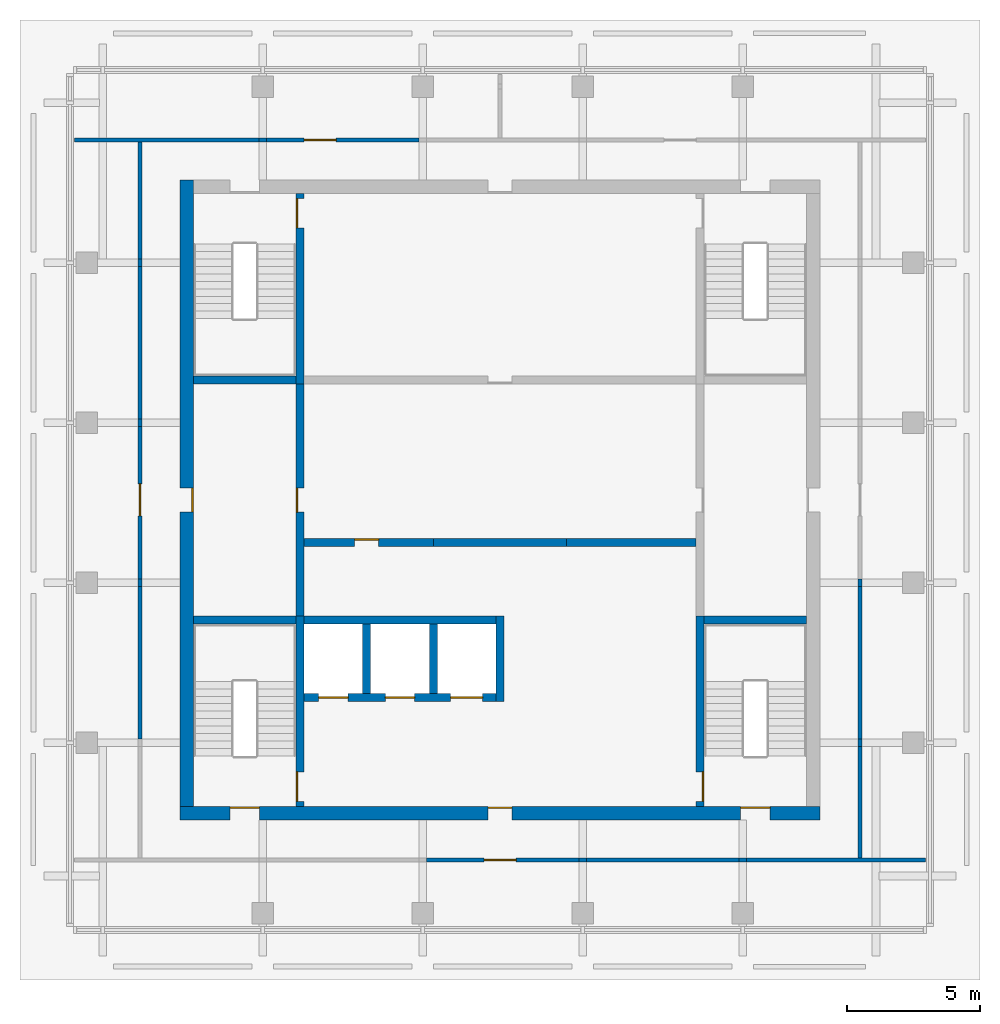
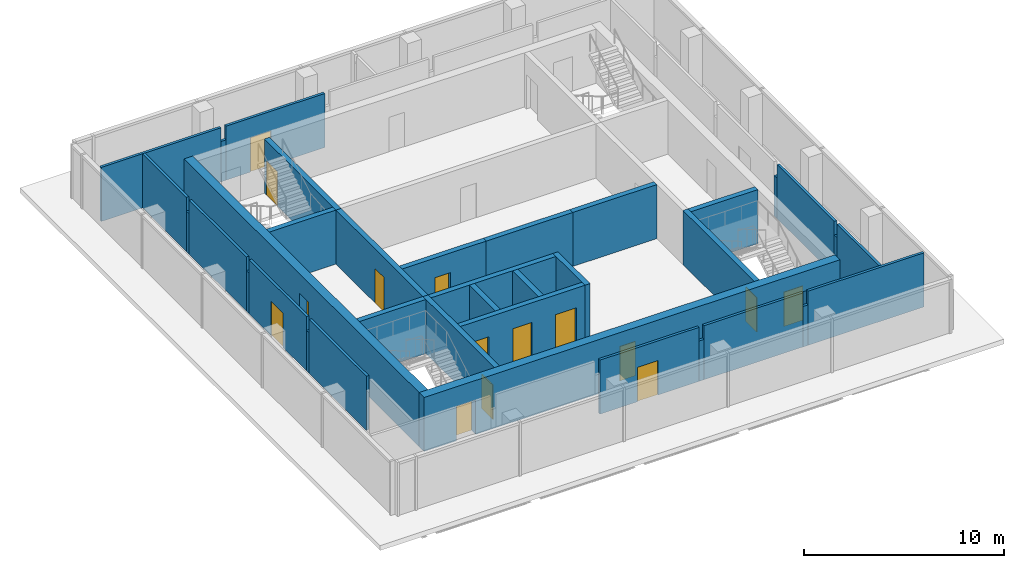
# One storey, part 3 of 5: 36 walls, 15 doors, 15 openings.
"""IFC4 building model written with IfcOpenShell, lengths in metres."""

from ifc_helpers import new_model, si_unit, direction, frame, frame_2d, origin, place, context, subcontext, project, spatial, rectangle, extrude, material, layer, layer_set, type_object, element, fill, save


model = new_model("IFC4")

# Units and contexts
model_context = context("Model", 3, precision=1e-05, world=origin(), true_north=direction((0.0, 1.0)))
body_context = subcontext(model_context, "Body", "Model", "MODEL_VIEW")
ifc_project = project(units=[si_unit("LENGTHUNIT", "METRE"), si_unit("AREAUNIT", "SQUARE_METRE"), si_unit("VOLUMEUNIT", "CUBIC_METRE"), si_unit("PLANEANGLEUNIT", "RADIAN"), si_unit("MASSUNIT", "GRAM", prefix="KILO")], contexts=[model_context])

# Site, building, storey
site_placement = place(None, origin())
site = spatial("IfcSite", under=ifc_project, at=site_placement, CompositionType="ELEMENT")
building_placement = place(site_placement, origin())
building = spatial("IfcBuilding", under=site, at=building_placement, Name="Amberfall Residences", CompositionType="ELEMENT")
storey_placement = place(building_placement, frame((0.0, 0.0, 294.39990234375)))
storey = spatial("IfcBuildingStorey", under=building, at=storey_placement, Name="L79 Crown", CompositionType="ELEMENT", Elevation=294.39990234375)

# Wall, opening, door
ifc_material_1 = material(Name="Concrete blockwork", Category="masonry")
ifc_layer_1 = layer(ifc_material_1, 0.300048828125)
ifc_layer_set_1 = layer_set([ifc_layer_1], Name="Blockwork partition 300")
wall_type_1 = type_object("IfcWallType", Name="Blockwork partition 300", PredefinedType="PARTITIONING", material=ifc_layer_set_1)
wall_1_placement = place(storey_placement, frame((67.0, 41.14990234375, 0.0), z_axis=(0.0, 0.0, 1.0), x_axis=(0.0, 1.0, 0.0)))
wall_1 = element("IfcWall", 1, at=wall_1_placement, inside=storey, type_object=wall_type_1, Name="L79 Crown core wall W1M", PredefinedType="PARTITIONING", context=body_context, shape_type="SweptSolid", body=[
    extrude(rectangle(XDim=8.7001953125, YDim=0.300048828125, at=frame_2d((4.35009765625, 0.0))), origin(), (0.0, 0.0, 1.0), 3.300048828125),
])
opening_1_placement = place(wall_1_placement, frame((3.89990234375, 0.0, 0.0)))
opening_1 = element("IfcOpeningElement", 2, at=opening_1_placement, cuts=wall_1, Name="Opening RD1", PredefinedType="OPENING", context=body_context, shape_type="SweptSolid", body=[
    extrude(rectangle(XDim=0.89990234375, YDim=2.10009765625, at=frame_2d((0.449951171875, 1.050048828125))), frame((0.0, 0.159912109375, 0.0), z_axis=(0.0, -1.0, 0.0), x_axis=(1.0, 0.0, 0.0)), (0.0, 0.0, 1.0), 0.320068359375),
])
ifc_material_2 = material(Name="Steel fire door set", Category="steel")
door_type_1 = type_object("IfcDoorType", Name="Service room door 900 x 2100", OperationType="SINGLE_SWING_LEFT", PredefinedType="DOOR", material=ifc_material_2)
door_1_placement = place(opening_1_placement, origin())
door_1 = element("IfcDoor", 3, at=door_1_placement, inside=storey, type_object=door_type_1, Name="RD1 L79 Crown", OperationType="SINGLE_SWING_LEFT", OverallHeight=2.10009765625, OverallWidth=0.89990234375, PredefinedType="DOOR", context=body_context, shape_type="SweptSolid", body=[
    extrude(rectangle(XDim=0.89990234375, YDim=2.10009765625, at=frame_2d((0.449951171875, 1.050048828125))), frame((0.0, 0.1376953125, 0.0), z_axis=(0.0, -1.0, 0.0), x_axis=(1.0, 0.0, 0.0)), (0.0, 0.0, 1.0), 0.050048828125),
])
fill(opening_1, door_1)

wall_2_placement = place(storey_placement, frame((67.14990234375, 43.89990234375, 0.0), z_axis=(0.0, 0.0, 1.0), x_axis=(1.0, 0.0, 0.0)))
wall_2 = element("IfcWall", 4, at=wall_2_placement, inside=storey, type_object=wall_type_1, Name="L79 Crown core wall W6", PredefinedType="PARTITIONING", context=body_context, shape_type="SweptSolid", body=[
    extrude(rectangle(XDim=4.85009765625, YDim=0.300048828125, at=frame_2d((2.425048828125, 0.0))), origin(), (0.0, 0.0, 1.0), 3.300048828125),
])
opening_2_placement = place(wall_2_placement, frame((1.89990234375, 0.0, 0.0)))
opening_2 = element("IfcOpeningElement", 5, at=opening_2_placement, cuts=wall_2, Name="Opening RD1", PredefinedType="OPENING", context=body_context, shape_type="SweptSolid", body=[
    extrude(rectangle(XDim=0.89990234375, YDim=2.10009765625, at=frame_2d((0.449951171875, 1.050048828125))), frame((0.0, 0.159912109375, 0.0), z_axis=(0.0, -1.0, 0.0), x_axis=(1.0, 0.0, 0.0)), (0.0, 0.0, 1.0), 0.320068359375),
])
door_2_placement = place(opening_2_placement, origin())
door_2 = element("IfcDoor", 6, at=door_2_placement, inside=storey, type_object=door_type_1, Name="RD1 L79 Crown", OperationType="SINGLE_SWING_LEFT", OverallHeight=2.10009765625, OverallWidth=0.89990234375, PredefinedType="DOOR", context=body_context, shape_type="SweptSolid", body=[
    extrude(rectangle(XDim=0.89990234375, YDim=2.10009765625, at=frame_2d((0.449951171875, 1.050048828125))), frame((0.0, 0.1376953125, 0.0), z_axis=(0.0, -1.0, 0.0), x_axis=(1.0, 0.0, 0.0)), (0.0, 0.0, 1.0), 0.050048828125),
])
fill(opening_2, door_2)

# Wall
wall_3_placement = place(storey_placement, frame((77.0, 43.89990234375, 0.0), z_axis=(0.0, 0.0, 1.0), x_axis=(1.0, 0.0, 0.0)))
element("IfcWall", 7, at=wall_3_placement, inside=storey, type_object=wall_type_1, Name="L79 Crown core wall W6e", PredefinedType="PARTITIONING", context=body_context, shape_type="SweptSolid", body=[
    extrude(rectangle(XDim=4.85009765625, YDim=0.300048828125, at=frame_2d((2.425048828125, 0.0))), origin(), (0.0, 0.0, 1.0), 3.300048828125),
])

# Wall, openings, doors
wall_4_placement = place(storey_placement, frame((67.14990234375, 38.10009765625, 0.0), z_axis=(0.0, 0.0, 1.0), x_axis=(1.0, 0.0, 0.0)))
wall_4 = element("IfcWall", 8, at=wall_4_placement, inside=storey, type_object=wall_type_1, Name="L79 Crown core wall FFF", PredefinedType="PARTITIONING", context=body_context, shape_type="SweptSolid", body=[
    extrude(rectangle(XDim=7.2001953125, YDim=0.300048828125, at=frame_2d((3.60009765625, 0.0))), origin(), (0.0, 0.0, 1.0), 3.300048828125),
])
opening_3_placement = place(wall_4_placement, frame((0.550048828125, 0.0, 0.0)))
opening_3 = element("IfcOpeningElement", 9, at=opening_3_placement, cuts=wall_4, Name="Opening LD2", PredefinedType="OPENING", context=body_context, shape_type="SweptSolid", body=[
    extrude(rectangle(XDim=1.10009765625, YDim=2.10009765625, at=frame_2d((0.550048828125, 1.050048828125))), frame((0.0, 0.159912109375, 0.0), z_axis=(0.0, -1.0, 0.0), x_axis=(1.0, 0.0, 0.0)), (0.0, 0.0, 1.0), 0.320068359375),
])
opening_4_placement = place(wall_4_placement, frame((3.050048828125, 0.0, 0.0)))
opening_4 = element("IfcOpeningElement", 10, at=opening_4_placement, cuts=wall_4, Name="Opening LD2", PredefinedType="OPENING", context=body_context, shape_type="SweptSolid", body=[
    extrude(rectangle(XDim=1.10009765625, YDim=2.10009765625, at=frame_2d((0.550048828125, 1.050048828125))), frame((0.0, 0.159912109375, 0.0), z_axis=(0.0, -1.0, 0.0), x_axis=(1.0, 0.0, 0.0)), (0.0, 0.0, 1.0), 0.320068359375),
])
opening_5_placement = place(wall_4_placement, frame((5.5, 0.0, 0.0)))
opening_5 = element("IfcOpeningElement", 11, at=opening_5_placement, cuts=wall_4, Name="Opening LD3", PredefinedType="OPENING", context=body_context, shape_type="SweptSolid", body=[
    extrude(rectangle(XDim=1.199951171875, YDim=2.10009765625, at=frame_2d((0.60009765625, 1.050048828125))), frame((0.0, 0.159912109375, 0.0), z_axis=(0.0, -1.0, 0.0), x_axis=(1.0, 0.0, 0.0)), (0.0, 0.0, 1.0), 0.320068359375),
])
door_type_2 = type_object("IfcDoorType", Name="Firefighting lift landing door 1100 x 2100", OperationType="DOUBLE_DOOR_SLIDING", PredefinedType="DOOR", material=ifc_material_2)
door_3_placement = place(opening_3_placement, origin())
door_3 = element("IfcDoor", 12, at=door_3_placement, inside=storey, type_object=door_type_2, Name="Landing door FF1 L79 Crown", OperationType="DOUBLE_DOOR_SLIDING", OverallHeight=2.10009765625, OverallWidth=1.10009765625, PredefinedType="DOOR", context=body_context, shape_type="SweptSolid", body=[
    extrude(rectangle(XDim=1.10009765625, YDim=2.10009765625, at=frame_2d((0.550048828125, 1.050048828125))), frame((0.0, 0.02490234375, 0.0), z_axis=(0.0, -1.0, 0.0), x_axis=(1.0, 0.0, 0.0)), (0.0, 0.0, 1.0), 0.050048828125),
])
fill(opening_3, door_3)
door_4_placement = place(opening_4_placement, origin())
door_4 = element("IfcDoor", 13, at=door_4_placement, inside=storey, type_object=door_type_2, Name="Landing door FF2 L79 Crown", OperationType="DOUBLE_DOOR_SLIDING", OverallHeight=2.10009765625, OverallWidth=1.10009765625, PredefinedType="DOOR", context=body_context, shape_type="SweptSolid", body=[
    extrude(rectangle(XDim=1.10009765625, YDim=2.10009765625, at=frame_2d((0.550048828125, 1.050048828125))), frame((0.0, 0.02490234375, 0.0), z_axis=(0.0, -1.0, 0.0), x_axis=(1.0, 0.0, 0.0)), (0.0, 0.0, 1.0), 0.050048828125),
])
fill(opening_4, door_4)
door_type_3 = type_object("IfcDoorType", Name="Service lift landing door 1200 x 2100", OperationType="DOUBLE_DOOR_SLIDING", PredefinedType="DOOR", material=ifc_material_2)
door_5_placement = place(opening_5_placement, origin())
door_5 = element("IfcDoor", 14, at=door_5_placement, inside=storey, type_object=door_type_3, Name="Landing door SL1 L79 Crown", OperationType="DOUBLE_DOOR_SLIDING", OverallHeight=2.10009765625, OverallWidth=1.199951171875, PredefinedType="DOOR", context=body_context, shape_type="SweptSolid", body=[
    extrude(rectangle(XDim=1.199951171875, YDim=2.10009765625, at=frame_2d((0.60009765625, 1.050048828125))), frame((0.0, 0.02490234375, 0.0), z_axis=(0.0, -1.0, 0.0), x_axis=(1.0, 0.0, 0.0)), (0.0, 0.0, 1.0), 0.050048828125),
])
fill(opening_5, door_5)

# Walls
wall_5_placement = place(storey_placement, frame((67.14990234375, 41.0, 0.0), z_axis=(0.0, 0.0, 1.0), x_axis=(1.0, 0.0, 0.0)))
element("IfcWall", 15, at=wall_5_placement, inside=storey, type_object=wall_type_1, Name="L79 Crown core wall FFS", PredefinedType="PARTITIONING", context=body_context, shape_type="SweptSolid", body=[
    extrude(rectangle(XDim=7.2001953125, YDim=0.300048828125, at=frame_2d((3.60009765625, 0.0))), origin(), (0.0, 0.0, 1.0), 3.300048828125),
])
for number, where, z_axis, x_axis, name in (
    (16, (69.5, 38.25, 0.0), (0.0, 0.0, 1.0), (0.0, 1.0, 0.0), "L79 Crown core wall FFD1"),
    (17, (72.0, 38.25, 0.0), (0.0, 0.0, 1.0), (0.0, 1.0, 0.0), "L79 Crown core wall FFD2"),
):
    element("IfcWall", number, at=place(storey_placement, frame(where, z_axis=z_axis, x_axis=x_axis)), inside=storey, type_object=wall_type_1, Name=name, PredefinedType="PARTITIONING", context=body_context, shape_type="SweptSolid", body=[
        extrude(rectangle(XDim=2.60009765625, YDim=0.300048828125, at=frame_2d((1.300048828125, 0.0))), origin(), (0.0, 0.0, 1.0), 3.300048828125),
    ])
wall_6_placement = place(storey_placement, frame((74.5, 37.949951171875, 0.0), z_axis=(0.0, 0.0, 1.0), x_axis=(0.0, 1.0, 0.0)))
element("IfcWall", 18, at=wall_6_placement, inside=storey, type_object=wall_type_1, Name="L79 Crown core wall FFD3", PredefinedType="PARTITIONING", context=body_context, shape_type="SweptSolid", body=[
    extrude(rectangle(XDim=3.199951171875, YDim=0.300048828125, at=frame_2d((1.60009765625, 0.0))), origin(), (0.0, 0.0, 1.0), 3.300048828125),
])
ifc_material_3 = material(Name="Concrete C50", Category="concrete")
ifc_layer_2 = layer(ifc_material_3, 0.300048828125)
ifc_layer_set_2 = layer_set([ifc_layer_2], Name="Core wall 300 C50")
wall_type_2 = type_object("IfcWallType", Name="Core wall 300 C50", PredefinedType="SHEAR", material=ifc_layer_set_2)
wall_7_placement = place(storey_placement, frame((72.0, 43.89990234375, 0.0), z_axis=(0.0, 0.0, 1.0), x_axis=(1.0, 0.0, 0.0)))
element("IfcWall", 19, at=wall_7_placement, inside=storey, type_object=wall_type_2, Name="Spire pier wall RW10 L79 Crown", PredefinedType="SHEAR", context=body_context, shape_type="SweptSolid", body=[
    extrude(rectangle(XDim=5.0, YDim=0.300048828125, at=frame_2d((2.5, 0.0))), origin(), (0.0, 0.0, 1.0), 3.300048828125),
])

# Wall, openings, doors
ifc_layer_3 = layer(ifc_material_3, 0.5)
ifc_layer_set_3 = layer_set([ifc_layer_3], Name="Core wall 500 C50")
wall_type_3 = type_object("IfcWallType", Name="Core wall 500 C50", PredefinedType="SHEAR", material=ifc_layer_set_3)
wall_8_placement = place(storey_placement, frame((62.5, 33.75, 0.0), z_axis=(0.0, 0.0, 1.0), x_axis=(1.0, 0.0, 0.0)))
wall_8 = element("IfcWall", 20, at=wall_8_placement, inside=storey, type_object=wall_type_3, Name="Core wall RW9 L79 Crown OS", PredefinedType="SHEAR", context=body_context, shape_type="SweptSolid", body=[
    extrude(rectangle(XDim=24.0, YDim=0.5, at=frame_2d((12.0, 0.0))), origin(), (0.0, 0.0, 1.0), 3.300048828125),
])
opening_6_placement = place(wall_8_placement, frame((1.875, 0.0, 0.0)))
opening_6 = element("IfcOpeningElement", 21, at=opening_6_placement, cuts=wall_8, Name="Opening SD1", PredefinedType="OPENING", context=body_context, shape_type="SweptSolid", body=[
    extrude(rectangle(XDim=1.10009765625, YDim=2.10009765625, at=frame_2d((0.550048828125, 1.050048828125))), frame((0.0, 0.260009765625, 0.0), z_axis=(0.0, -1.0, 0.0), x_axis=(1.0, 0.0, 0.0)), (0.0, 0.0, 1.0), 0.52001953125),
])
opening_7_placement = place(wall_8_placement, frame((21.02490234375, 0.0, 0.0)))
opening_7 = element("IfcOpeningElement", 22, at=opening_7_placement, cuts=wall_8, Name="Opening SD1", PredefinedType="OPENING", context=body_context, shape_type="SweptSolid", body=[
    extrude(rectangle(XDim=1.10009765625, YDim=2.10009765625, at=frame_2d((0.550048828125, 1.050048828125))), frame((0.0, 0.260009765625, 0.0), z_axis=(0.0, -1.0, 0.0), x_axis=(1.0, 0.0, 0.0)), (0.0, 0.0, 1.0), 0.52001953125),
])
opening_8_placement = place(wall_8_placement, frame((11.550048828125, 0.0, 0.0)))
opening_8 = element("IfcOpeningElement", 23, at=opening_8_placement, cuts=wall_8, Name="Opening RD1", PredefinedType="OPENING", context=body_context, shape_type="SweptSolid", body=[
    extrude(rectangle(XDim=0.89990234375, YDim=2.10009765625, at=frame_2d((0.449951171875, 1.050048828125))), frame((0.0, 0.260009765625, 0.0), z_axis=(0.0, -1.0, 0.0), x_axis=(1.0, 0.0, 0.0)), (0.0, 0.0, 1.0), 0.52001953125),
])
door_6_placement = place(opening_8_placement, origin())
door_6 = element("IfcDoor", 24, at=door_6_placement, inside=storey, type_object=door_type_1, Name="RD1 L79 Crown", OperationType="SINGLE_SWING_LEFT", OverallHeight=2.10009765625, OverallWidth=0.89990234375, PredefinedType="DOOR", context=body_context, shape_type="SweptSolid", body=[
    extrude(rectangle(XDim=0.89990234375, YDim=2.10009765625, at=frame_2d((0.449951171875, 1.050048828125))), frame((0.0, 0.2373046875, 0.0), z_axis=(0.0, -1.0, 0.0), x_axis=(1.0, 0.0, 0.0)), (0.0, 0.0, 1.0), 0.050048828125),
])
fill(opening_8, door_6)
door_type_4 = type_object("IfcDoorType", Name="Stair door 1100 x 2100", OperationType="SINGLE_SWING_LEFT", PredefinedType="DOOR", material=ifc_material_2)
door_7_placement = place(opening_6_placement, origin())
door_7 = element("IfcDoor", 25, at=door_7_placement, inside=storey, type_object=door_type_4, Name="SD1 L79 Crown", OperationType="SINGLE_SWING_LEFT", OverallHeight=2.10009765625, OverallWidth=1.10009765625, PredefinedType="DOOR", context=body_context, shape_type="SweptSolid", body=[
    extrude(rectangle(XDim=1.10009765625, YDim=2.10009765625, at=frame_2d((0.550048828125, 1.050048828125))), frame((0.0, 0.2373046875, 0.0), z_axis=(0.0, -1.0, 0.0), x_axis=(1.0, 0.0, 0.0)), (0.0, 0.0, 1.0), 0.050048828125),
])
fill(opening_6, door_7)
door_8_placement = place(opening_7_placement, origin())
door_8 = element("IfcDoor", 26, at=door_8_placement, inside=storey, type_object=door_type_4, Name="SD1 L79 Crown", OperationType="SINGLE_SWING_RIGHT", OverallHeight=2.10009765625, OverallWidth=1.10009765625, PredefinedType="DOOR", context=body_context, shape_type="SweptSolid", body=[
    extrude(rectangle(XDim=1.10009765625, YDim=2.10009765625, at=frame_2d((0.550048828125, 1.050048828125))), frame((0.0, 0.2373046875, 0.0), z_axis=(0.0, -1.0, 0.0), x_axis=(1.0, 0.0, 0.0)), (0.0, 0.0, 1.0), 0.050048828125),
])
fill(opening_7, door_8)

# Wall, opening, door
wall_9_placement = place(storey_placement, frame((62.75, 33.5, 0.0), z_axis=(0.0, 0.0, 1.0), x_axis=(0.0, 1.0, 0.0)))
wall_9 = element("IfcWall", 27, at=wall_9_placement, inside=storey, type_object=wall_type_3, Name="Core wall RW9 L79 Crown OW", PredefinedType="SHEAR", context=body_context, shape_type="SweptSolid", body=[
    extrude(rectangle(XDim=24.0, YDim=0.5, at=frame_2d((12.0, 0.0))), origin(), (0.0, 0.0, 1.0), 3.300048828125),
])
opening_9_placement = place(wall_9_placement, frame((11.550048828125, 0.0, 0.0)))
opening_9 = element("IfcOpeningElement", 28, at=opening_9_placement, cuts=wall_9, Name="Opening RD1", PredefinedType="OPENING", context=body_context, shape_type="SweptSolid", body=[
    extrude(rectangle(XDim=0.89990234375, YDim=2.10009765625, at=frame_2d((0.449951171875, 1.050048828125))), frame((0.0, 0.260009765625, 0.0), z_axis=(0.0, -1.0, 0.0), x_axis=(1.0, 0.0, 0.0)), (0.0, 0.0, 1.0), 0.52001953125),
])
door_9_placement = place(opening_9_placement, origin())
door_9 = element("IfcDoor", 29, at=door_9_placement, inside=storey, type_object=door_type_1, Name="RD1 L79 Crown", OperationType="SINGLE_SWING_LEFT", OverallHeight=2.10009765625, OverallWidth=0.89990234375, PredefinedType="DOOR", context=body_context, shape_type="SweptSolid", body=[
    extrude(rectangle(XDim=0.89990234375, YDim=2.10009765625, at=frame_2d((0.449951171875, 1.050048828125))), frame((0.0, -0.1875, 0.0), z_axis=(0.0, -1.0, 0.0), x_axis=(1.0, 0.0, 0.0)), (0.0, 0.0, 1.0), 0.050048828125),
])
fill(opening_9, door_9)

ifc_material_4 = material(Name="Fire-rated gypsum board on steel studs", Category="steel")
ifc_layer_4 = layer(ifc_material_4, 0.14990234375)
ifc_layer_set_4 = layer_set([ifc_layer_4], Name="Partition 150 fire-rated")
wall_type_4 = type_object("IfcWallType", Name="Partition 150 fire-rated", PredefinedType="PARTITIONING", material=ifc_layer_set_4)
wall_10_placement = place(storey_placement, frame((71.745849609375, 32.0, 0.0), z_axis=(0.0, 0.0, 1.0), x_axis=(1.0, 0.0, 0.0)))
wall_10 = element("IfcWall", 30, at=wall_10_placement, inside=storey, type_object=wall_type_4, Name="Partition 150 fire-rated L79 Crown 005", PredefinedType="PARTITIONING", context=body_context, shape_type="SweptSolid", body=[
    extrude(rectangle(XDim=5.708251953125, YDim=0.14990234375, at=frame_2d((2.85400390625, 0.0))), origin(), (0.0, 0.0, 1.0), 3.300048828125),
])
opening_10_placement = place(wall_10_placement, frame((2.154296875, 0.0, 0.0)))
opening_10 = element("IfcOpeningElement", 31, at=opening_10_placement, cuts=wall_10, Name="Opening D7", PredefinedType="OPENING", context=body_context, shape_type="SweptSolid", body=[
    extrude(rectangle(XDim=1.199951171875, YDim=2.10009765625, at=frame_2d((0.60009765625, 1.050048828125))), frame((0.0, 0.0849609375, 0.0), z_axis=(0.0, -1.0, 0.0), x_axis=(1.0, 0.0, 0.0)), (0.0, 0.0, 1.0), 0.169921875),
])
ifc_material_5 = material(Name="Steel fire door leaf", Category="steel")
door_type_5 = type_object("IfcDoorType", Name="Plant room door 1200x2100", OperationType="SINGLE_SWING_LEFT", PredefinedType="DOOR", material=ifc_material_5)
door_10_placement = place(opening_10_placement, origin())
door_10 = element("IfcDoor", 32, at=door_10_placement, inside=storey, type_object=door_type_5, Name="Door Traction machine plant room", OperationType="SINGLE_SWING_LEFT", OverallHeight=2.10009765625, OverallWidth=1.199951171875, PredefinedType="DOOR", context=body_context, shape_type="SweptSolid", body=[
    extrude(rectangle(XDim=1.199951171875, YDim=2.10009765625, at=frame_2d((0.60009765625, 1.050048828125))), frame((0.0, 0.02490234375, 0.0), z_axis=(0.0, -1.0, 0.0), x_axis=(1.0, 0.0, 0.0)), (0.0, 0.0, 1.0), 0.050048828125),
])
fill(opening_10, door_10)

# Walls
wall_11_placement = place(storey_placement, frame((77.4541015625, 32.0, 0.0), z_axis=(0.0, 0.0, 1.0), x_axis=(1.0, 0.0, 0.0)))
element("IfcWall", 33, at=wall_11_placement, inside=storey, type_object=wall_type_4, Name="Partition 150 fire-rated L79 Crown 006", PredefinedType="PARTITIONING", context=body_context, shape_type="SweptSolid", body=[
    extrude(rectangle(XDim=0.291748046875, YDim=0.14990234375, at=frame_2d((0.14599609375, 0.0))), origin(), (0.0, 0.0, 1.0), 2.465087890625),
])
wall_12_placement = place(storey_placement, frame((77.745849609375, 32.0, 0.0), z_axis=(0.0, 0.0, 1.0), x_axis=(1.0, 0.0, 0.0)))
element("IfcWall", 34, at=wall_12_placement, inside=storey, type_object=wall_type_4, Name="Partition 150 fire-rated L79 Crown 007", PredefinedType="PARTITIONING", context=body_context, shape_type="SweptSolid", body=[
    extrude(rectangle(XDim=5.708251953125, YDim=0.14990234375, at=frame_2d((2.85400390625, 0.0))), origin(), (0.0, 0.0, 1.0), 3.300048828125),
])
wall_13_placement = place(storey_placement, frame((83.4541015625, 32.0, 0.0), z_axis=(0.0, 0.0, 1.0), x_axis=(1.0, 0.0, 0.0)))
element("IfcWall", 35, at=wall_13_placement, inside=storey, type_object=wall_type_4, Name="Partition 150 fire-rated L79 Crown 008", PredefinedType="PARTITIONING", context=body_context, shape_type="SweptSolid", body=[
    extrude(rectangle(XDim=0.291748046875, YDim=0.14990234375, at=frame_2d((0.14599609375, 0.0))), origin(), (0.0, 0.0, 1.0), 2.465087890625),
])
wall_14_placement = place(storey_placement, frame((83.745849609375, 32.0, 0.0), z_axis=(0.0, 0.0, 1.0), x_axis=(1.0, 0.0, 0.0)))
element("IfcWall", 36, at=wall_14_placement, inside=storey, type_object=wall_type_4, Name="Partition 150 fire-rated L79 Crown 009", PredefinedType="PARTITIONING", context=body_context, shape_type="SweptSolid", body=[
    extrude(rectangle(XDim=6.7041015625, YDim=0.14990234375, at=frame_2d((3.35205078125, 0.0))), origin(), (0.0, 0.0, 1.0), 3.300048828125),
])
wall_15_placement = place(storey_placement, frame((58.550048828125, 59.0, 0.0), z_axis=(0.0, 0.0, 1.0), x_axis=(1.0, 0.0, 0.0)))
element("IfcWall", 37, at=wall_15_placement, inside=storey, type_object=wall_type_4, Name="Partition 150 fire-rated L79 Crown 010", PredefinedType="PARTITIONING", context=body_context, shape_type="SweptSolid", body=[
    extrude(rectangle(XDim=6.904052734375, YDim=0.14990234375, at=frame_2d((3.4521484375, 0.0))), origin(), (0.0, 0.0, 1.0), 3.300048828125),
])
wall_16_placement = place(storey_placement, frame((65.4541015625, 59.0, 0.0), z_axis=(0.0, 0.0, 1.0), x_axis=(1.0, 0.0, 0.0)))
element("IfcWall", 38, at=wall_16_placement, inside=storey, type_object=wall_type_4, Name="Partition 150 fire-rated L79 Crown 011", PredefinedType="PARTITIONING", context=body_context, shape_type="SweptSolid", body=[
    extrude(rectangle(XDim=0.291748046875, YDim=0.14990234375, at=frame_2d((0.14599609375, 0.0))), origin(), (0.0, 0.0, 1.0), 2.465087890625),
])

# Wall, opening, door
wall_17_placement = place(storey_placement, frame((65.745849609375, 59.0, 0.0), z_axis=(0.0, 0.0, 1.0), x_axis=(1.0, 0.0, 0.0)))
wall_17 = element("IfcWall", 39, at=wall_17_placement, inside=storey, type_object=wall_type_4, Name="Partition 150 fire-rated L79 Crown 012", PredefinedType="PARTITIONING", context=body_context, shape_type="SweptSolid", body=[
    extrude(rectangle(XDim=5.708251953125, YDim=0.14990234375, at=frame_2d((2.85400390625, 0.0))), origin(), (0.0, 0.0, 1.0), 3.300048828125),
])
opening_11_placement = place(wall_17_placement, frame((1.404296875, 0.0, 0.0)))
opening_11 = element("IfcOpeningElement", 40, at=opening_11_placement, cuts=wall_17, Name="Opening D7", PredefinedType="OPENING", context=body_context, shape_type="SweptSolid", body=[
    extrude(rectangle(XDim=1.199951171875, YDim=2.10009765625, at=frame_2d((0.60009765625, 1.050048828125))), frame((0.0, 0.0849609375, 0.0), z_axis=(0.0, -1.0, 0.0), x_axis=(1.0, 0.0, 0.0)), (0.0, 0.0, 1.0), 0.169921875),
])
door_11_placement = place(opening_11_placement, origin())
door_11 = element("IfcDoor", 41, at=door_11_placement, inside=storey, type_object=door_type_5, Name="Door Smoke plant room", OperationType="SINGLE_SWING_LEFT", OverallHeight=2.10009765625, OverallWidth=1.199951171875, PredefinedType="DOOR", context=body_context, shape_type="SweptSolid", body=[
    extrude(rectangle(XDim=1.199951171875, YDim=2.10009765625, at=frame_2d((0.60009765625, 1.050048828125))), frame((0.0, 0.02490234375, 0.0), z_axis=(0.0, -1.0, 0.0), x_axis=(1.0, 0.0, 0.0)), (0.0, 0.0, 1.0), 0.050048828125),
])
fill(opening_11, door_11)

# Walls
wall_18_placement = place(storey_placement, frame((61.0, 36.5458984375, 0.0), z_axis=(0.0, 0.0, 1.0), x_axis=(0.0, 1.0, 0.0)))
element("IfcWall", 42, at=wall_18_placement, inside=storey, type_object=wall_type_4, Name="Partition 150 fire-rated L79 Crown 021", PredefinedType="PARTITIONING", context=body_context, shape_type="SweptSolid", body=[
    extrude(rectangle(XDim=5.708251953125, YDim=0.14990234375, at=frame_2d((2.85400390625, 0.0))), origin(), (0.0, 0.0, 1.0), 3.300048828125),
])
wall_19_placement = place(storey_placement, frame((61.0, 42.254150390625, 0.0), z_axis=(0.0, 0.0, 1.0), x_axis=(0.0, 1.0, 0.0)))
element("IfcWall", 43, at=wall_19_placement, inside=storey, type_object=wall_type_4, Name="Partition 150 fire-rated L79 Crown 022", PredefinedType="PARTITIONING", context=body_context, shape_type="SweptSolid", body=[
    extrude(rectangle(XDim=0.291748046875, YDim=0.14990234375, at=frame_2d((0.14599609375, 0.0))), origin(), (0.0, 0.0, 1.0), 2.465087890625),
])

# Wall, opening, door
wall_20_placement = place(storey_placement, frame((61.0, 42.5458984375, 0.0), z_axis=(0.0, 0.0, 1.0), x_axis=(0.0, 1.0, 0.0)))
wall_20 = element("IfcWall", 44, at=wall_20_placement, inside=storey, type_object=wall_type_4, Name="Partition 150 fire-rated L79 Crown 023", PredefinedType="PARTITIONING", context=body_context, shape_type="SweptSolid", body=[
    extrude(rectangle(XDim=5.708251953125, YDim=0.14990234375, at=frame_2d((2.85400390625, 0.0))), origin(), (0.0, 0.0, 1.0), 3.300048828125),
])
opening_12_placement = place(wall_20_placement, frame((2.354248046875, 0.0, 0.0)))
opening_12 = element("IfcOpeningElement", 45, at=opening_12_placement, cuts=wall_20, Name="Opening D7", PredefinedType="OPENING", context=body_context, shape_type="SweptSolid", body=[
    extrude(rectangle(XDim=1.199951171875, YDim=2.10009765625, at=frame_2d((0.60009765625, 1.050048828125))), frame((0.0, 0.0849609375, 0.0), z_axis=(0.0, -1.0, 0.0), x_axis=(1.0, 0.0, 0.0)), (0.0, 0.0, 1.0), 0.169921875),
])
door_12_placement = place(opening_12_placement, origin())
door_12 = element("IfcDoor", 46, at=door_12_placement, inside=storey, type_object=door_type_5, Name="Door Roof access plant room", OperationType="SINGLE_SWING_LEFT", OverallHeight=2.10009765625, OverallWidth=1.199951171875, PredefinedType="DOOR", context=body_context, shape_type="SweptSolid", body=[
    extrude(rectangle(XDim=1.199951171875, YDim=2.10009765625, at=frame_2d((0.60009765625, 1.050048828125))), frame((0.0, 0.02490234375, 0.0), z_axis=(0.0, -1.0, 0.0), x_axis=(1.0, 0.0, 0.0)), (0.0, 0.0, 1.0), 0.050048828125),
])
fill(opening_12, door_12)

# Walls
wall_21_placement = place(storey_placement, frame((61.0, 48.254150390625, 0.0), z_axis=(0.0, 0.0, 1.0), x_axis=(0.0, 1.0, 0.0)))
element("IfcWall", 47, at=wall_21_placement, inside=storey, type_object=wall_type_4, Name="Partition 150 fire-rated L79 Crown 024", PredefinedType="PARTITIONING", context=body_context, shape_type="SweptSolid", body=[
    extrude(rectangle(XDim=0.291748046875, YDim=0.14990234375, at=frame_2d((0.14599609375, 0.0))), origin(), (0.0, 0.0, 1.0), 2.465087890625),
])
wall_22_placement = place(storey_placement, frame((61.0, 48.5458984375, 0.0), z_axis=(0.0, 0.0, 1.0), x_axis=(0.0, 1.0, 0.0)))
element("IfcWall", 48, at=wall_22_placement, inside=storey, type_object=wall_type_4, Name="Partition 150 fire-rated L79 Crown 025", PredefinedType="PARTITIONING", context=body_context, shape_type="SweptSolid", body=[
    extrude(rectangle(XDim=5.708251953125, YDim=0.14990234375, at=frame_2d((2.85400390625, 0.0))), origin(), (0.0, 0.0, 1.0), 3.300048828125),
])
wall_23_placement = place(storey_placement, frame((61.0, 54.254150390625, 0.0), z_axis=(0.0, 0.0, 1.0), x_axis=(0.0, 1.0, 0.0)))
element("IfcWall", 49, at=wall_23_placement, inside=storey, type_object=wall_type_4, Name="Partition 150 fire-rated L79 Crown 026", PredefinedType="PARTITIONING", context=body_context, shape_type="SweptSolid", body=[
    extrude(rectangle(XDim=0.291748046875, YDim=0.14990234375, at=frame_2d((0.14599609375, 0.0))), origin(), (0.0, 0.0, 1.0), 2.465087890625),
])
wall_24_placement = place(storey_placement, frame((61.0, 54.5458984375, 0.0), z_axis=(0.0, 0.0, 1.0), x_axis=(0.0, 1.0, 0.0)))
element("IfcWall", 50, at=wall_24_placement, inside=storey, type_object=wall_type_4, Name="Partition 150 fire-rated L79 Crown 027", PredefinedType="PARTITIONING", context=body_context, shape_type="SweptSolid", body=[
    extrude(rectangle(XDim=4.379150390625, YDim=0.14990234375, at=frame_2d((2.189453125, 0.0))), origin(), (0.0, 0.0, 1.0), 3.300048828125),
])
wall_25_placement = place(storey_placement, frame((88.0, 32.074951171875, 0.0), z_axis=(0.0, 0.0, 1.0), x_axis=(0.0, 1.0, 0.0)))
element("IfcWall", 51, at=wall_25_placement, inside=storey, type_object=wall_type_4, Name="Partition 150 fire-rated L79 Crown 031", PredefinedType="PARTITIONING", context=body_context, shape_type="SweptSolid", body=[
    extrude(rectangle(XDim=4.17919921875, YDim=0.14990234375, at=frame_2d((2.089599609375, 0.0))), origin(), (0.0, 0.0, 1.0), 3.300048828125),
])
wall_26_placement = place(storey_placement, frame((88.0, 36.254150390625, 0.0), z_axis=(0.0, 0.0, 1.0), x_axis=(0.0, 1.0, 0.0)))
element("IfcWall", 52, at=wall_26_placement, inside=storey, type_object=wall_type_4, Name="Partition 150 fire-rated L79 Crown 032", PredefinedType="PARTITIONING", context=body_context, shape_type="SweptSolid", body=[
    extrude(rectangle(XDim=0.291748046875, YDim=0.14990234375, at=frame_2d((0.14599609375, 0.0))), origin(), (0.0, 0.0, 1.0), 2.465087890625),
])
wall_27_placement = place(storey_placement, frame((88.0, 36.5458984375, 0.0), z_axis=(0.0, 0.0, 1.0), x_axis=(0.0, 1.0, 0.0)))
element("IfcWall", 53, at=wall_27_placement, inside=storey, type_object=wall_type_4, Name="Partition 150 fire-rated L79 Crown 033", PredefinedType="PARTITIONING", context=body_context, shape_type="SweptSolid", body=[
    extrude(rectangle(XDim=5.708251953125, YDim=0.14990234375, at=frame_2d((2.85400390625, 0.0))), origin(), (0.0, 0.0, 1.0), 3.300048828125),
])
wall_28_placement = place(storey_placement, frame((88.0, 42.254150390625, 0.0), z_axis=(0.0, 0.0, 1.0), x_axis=(0.0, 1.0, 0.0)))
element("IfcWall", 54, at=wall_28_placement, inside=storey, type_object=wall_type_4, Name="Partition 150 fire-rated L79 Crown 034", PredefinedType="PARTITIONING", context=body_context, shape_type="SweptSolid", body=[
    extrude(rectangle(XDim=0.291748046875, YDim=0.14990234375, at=frame_2d((0.14599609375, 0.0))), origin(), (0.0, 0.0, 1.0), 2.465087890625),
])

# Wall, opening, door
ifc_layer_5 = layer(ifc_material_3, 0.300048828125)
ifc_layer_set_5 = layer_set([ifc_layer_5], Name="Stair well wall 300 C50")
wall_type_5 = type_object("IfcWallType", Name="Stair well wall 300 C50", PredefinedType="SHEAR", material=ifc_layer_set_5)
wall_29_placement = place(storey_placement, frame((67.0, 34.0, 0.0), z_axis=(0.0, 0.0, 1.0), x_axis=(0.0, 1.0, 0.0)))
wall_29 = element("IfcWall", 55, at=wall_29_placement, inside=storey, type_object=wall_type_5, Name="L79 Crown stair well wall W1S", PredefinedType="SHEAR", context=body_context, shape_type="SweptSolid", body=[
    extrude(rectangle(XDim=7.14990234375, YDim=0.300048828125, at=frame_2d((3.574951171875, 0.0))), origin(), (0.0, 0.0, 1.0), 3.300048828125),
])
opening_13_placement = place(wall_29_placement, frame((0.199951171875, 0.0, 0.0)))
opening_13 = element("IfcOpeningElement", 56, at=opening_13_placement, cuts=wall_29, Name="Opening SD1", PredefinedType="OPENING", context=body_context, shape_type="SweptSolid", body=[
    extrude(rectangle(XDim=1.10009765625, YDim=2.10009765625, at=frame_2d((0.550048828125, 1.050048828125))), frame((0.0, 0.159912109375, 0.0), z_axis=(0.0, -1.0, 0.0), x_axis=(1.0, 0.0, 0.0)), (0.0, 0.0, 1.0), 0.320068359375),
])
door_13_placement = place(opening_13_placement, origin())
door_13 = element("IfcDoor", 57, at=door_13_placement, inside=storey, type_object=door_type_4, Name="SD1 L79 Crown", OperationType="SINGLE_SWING_LEFT", OverallHeight=2.10009765625, OverallWidth=1.10009765625, PredefinedType="DOOR", context=body_context, shape_type="SweptSolid", body=[
    extrude(rectangle(XDim=1.10009765625, YDim=2.10009765625, at=frame_2d((0.550048828125, 1.050048828125))), frame((0.0, 0.1376953125, 0.0), z_axis=(0.0, -1.0, 0.0), x_axis=(1.0, 0.0, 0.0)), (0.0, 0.0, 1.0), 0.050048828125),
])
fill(opening_13, door_13)

wall_30_placement = place(storey_placement, frame((67.0, 49.85009765625, 0.0), z_axis=(0.0, 0.0, 1.0), x_axis=(0.0, 1.0, 0.0)))
wall_30 = element("IfcWall", 58, at=wall_30_placement, inside=storey, type_object=wall_type_5, Name="L79 Crown stair well wall W1N", PredefinedType="SHEAR", context=body_context, shape_type="SweptSolid", body=[
    extrude(rectangle(XDim=7.14990234375, YDim=0.300048828125, at=frame_2d((3.574951171875, 0.0))), origin(), (0.0, 0.0, 1.0), 3.300048828125),
])
opening_14_placement = place(wall_30_placement, frame((5.85009765625, 0.0, 0.0)))
opening_14 = element("IfcOpeningElement", 59, at=opening_14_placement, cuts=wall_30, Name="Opening SD1", PredefinedType="OPENING", context=body_context, shape_type="SweptSolid", body=[
    extrude(rectangle(XDim=1.10009765625, YDim=2.10009765625, at=frame_2d((0.550048828125, 1.050048828125))), frame((0.0, 0.159912109375, 0.0), z_axis=(0.0, -1.0, 0.0), x_axis=(1.0, 0.0, 0.0)), (0.0, 0.0, 1.0), 0.320068359375),
])
door_14_placement = place(opening_14_placement, origin())
door_14 = element("IfcDoor", 60, at=door_14_placement, inside=storey, type_object=door_type_4, Name="SD1 L79 Crown", OperationType="SINGLE_SWING_LEFT", OverallHeight=2.10009765625, OverallWidth=1.10009765625, PredefinedType="DOOR", context=body_context, shape_type="SweptSolid", body=[
    extrude(rectangle(XDim=1.10009765625, YDim=2.10009765625, at=frame_2d((0.550048828125, 1.050048828125))), frame((0.0, 0.1376953125, 0.0), z_axis=(0.0, -1.0, 0.0), x_axis=(1.0, 0.0, 0.0)), (0.0, 0.0, 1.0), 0.050048828125),
])
fill(opening_14, door_14)

wall_31_placement = place(storey_placement, frame((82.0, 34.0, 0.0), z_axis=(0.0, 0.0, 1.0), x_axis=(0.0, 1.0, 0.0)))
wall_31 = element("IfcWall", 61, at=wall_31_placement, inside=storey, type_object=wall_type_5, Name="L79 Crown stair well wall W2S", PredefinedType="SHEAR", context=body_context, shape_type="SweptSolid", body=[
    extrude(rectangle(XDim=7.14990234375, YDim=0.300048828125, at=frame_2d((3.574951171875, 0.0))), origin(), (0.0, 0.0, 1.0), 3.300048828125),
])
opening_15_placement = place(wall_31_placement, frame((0.199951171875, 0.0, 0.0)))
opening_15 = element("IfcOpeningElement", 62, at=opening_15_placement, cuts=wall_31, Name="Opening SD1", PredefinedType="OPENING", context=body_context, shape_type="SweptSolid", body=[
    extrude(rectangle(XDim=1.10009765625, YDim=2.10009765625, at=frame_2d((0.550048828125, 1.050048828125))), frame((0.0, 0.159912109375, 0.0), z_axis=(0.0, -1.0, 0.0), x_axis=(1.0, 0.0, 0.0)), (0.0, 0.0, 1.0), 0.320068359375),
])
door_15_placement = place(opening_15_placement, origin())
door_15 = element("IfcDoor", 63, at=door_15_placement, inside=storey, type_object=door_type_4, Name="SD1 L79 Crown", OperationType="SINGLE_SWING_RIGHT", OverallHeight=2.10009765625, OverallWidth=1.10009765625, PredefinedType="DOOR", context=body_context, shape_type="SweptSolid", body=[
    extrude(rectangle(XDim=1.10009765625, YDim=2.10009765625, at=frame_2d((0.550048828125, 1.050048828125))), frame((0.0, -0.08740234375, 0.0), z_axis=(0.0, -1.0, 0.0), x_axis=(1.0, 0.0, 0.0)), (0.0, 0.0, 1.0), 0.050048828125),
])
fill(opening_15, door_15)

# Walls
for number, where, z_axis, x_axis, name in (
    (64, (63.0, 41.0, 0.0), (0.0, 0.0, 1.0), (1.0, 0.0, 0.0), "L79 Crown stair well wall W3"),
    (65, (82.14990234375, 41.0, 0.0), (0.0, 0.0, 1.0), (1.0, 0.0, 0.0), "L79 Crown stair well wall W3e"),
    (66, (63.0, 50.0, 0.0), (0.0, 0.0, 1.0), (1.0, 0.0, 0.0), "L79 Crown stair well wall W4"),
):
    element("IfcWall", number, at=place(storey_placement, frame(where, z_axis=z_axis, x_axis=x_axis)), inside=storey, type_object=wall_type_5, Name=name, PredefinedType="SHEAR", context=body_context, shape_type="SweptSolid", body=[
        extrude(rectangle(XDim=3.85009765625, YDim=0.300048828125, at=frame_2d((1.925048828125, 0.0))), origin(), (0.0, 0.0, 1.0), 3.300048828125),
    ])

save(model, "model.ifc")
